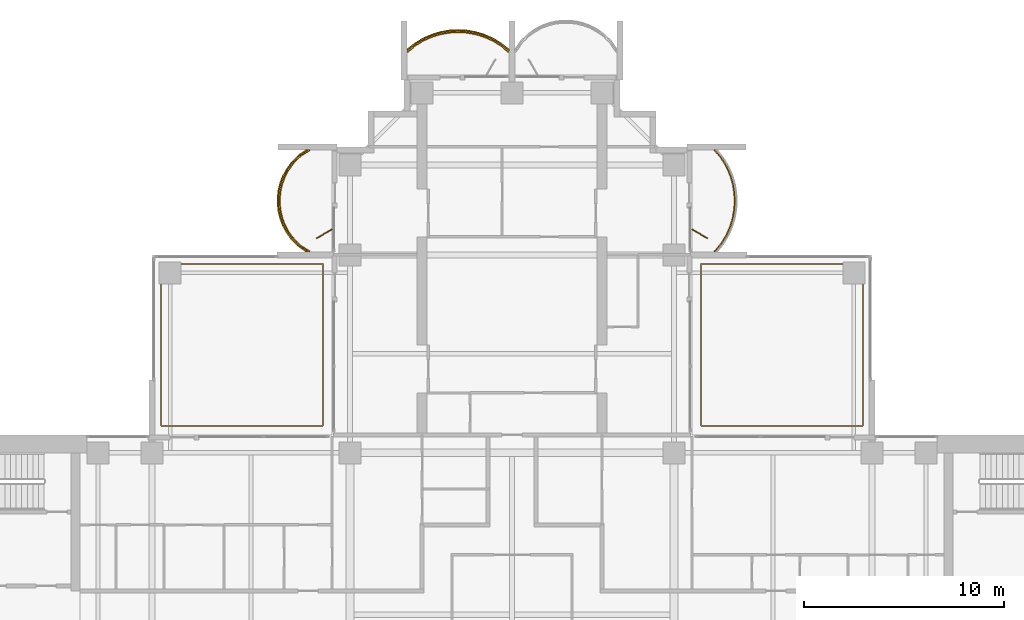
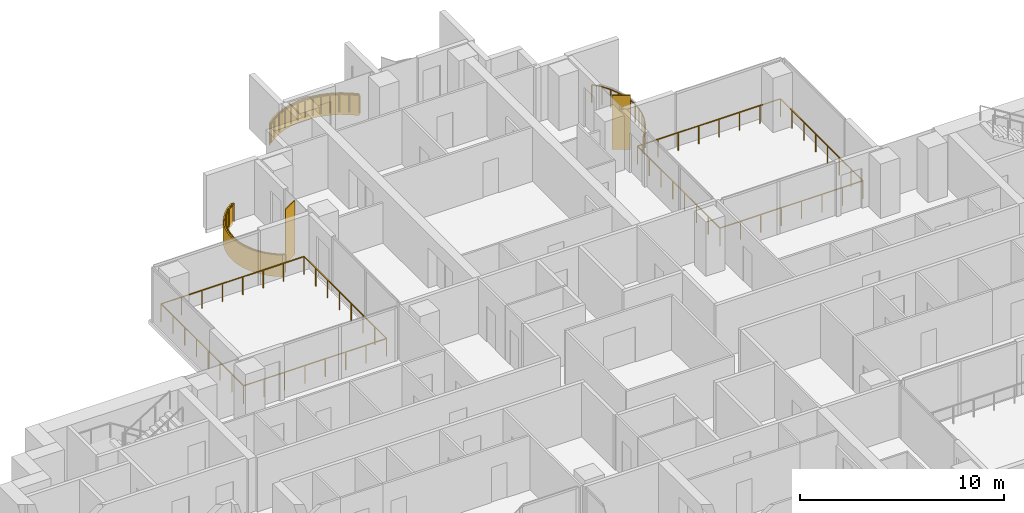
# One storey, part 17 of 18: 5 railings, 2 coverings, 2 shading devices.
"""IFC4 building model written with IfcOpenShell, lengths in metres."""

from ifc_helpers import new_model, si_unit, direction, frame, origin, origin_2d, place, context, subcontext, project, spatial, polyline, rectangle, outline, extrude, material, layer, layer_set, type_object, element, save


model = new_model("IFC4")

# Units and contexts
model_context = context("Model", 3, precision=1e-05, world=origin(), true_north=direction((0.0, 1.0)))
body_context = subcontext(model_context, "Body", "Model", "MODEL_VIEW")
ifc_project = project(units=[si_unit("LENGTHUNIT", "METRE"), si_unit("AREAUNIT", "SQUARE_METRE"), si_unit("VOLUMEUNIT", "CUBIC_METRE"), si_unit("PLANEANGLEUNIT", "RADIAN"), si_unit("MASSUNIT", "GRAM", prefix="KILO")], contexts=[model_context])

# Site, building, storey
site_placement = place(None, origin())
site = spatial("IfcSite", under=ifc_project, at=site_placement, CompositionType="ELEMENT")
building_placement = place(site_placement, origin())
building = spatial("IfcBuilding", under=site, at=building_placement, Name="Perihelion Cross Residences", CompositionType="ELEMENT")
storey_placement = place(building_placement, frame((0.0, 0.0, 140.89990234375)))
storey = spatial("IfcBuildingStorey", under=building, at=storey_placement, Name="L34", CompositionType="ELEMENT", Elevation=140.89990234375)

# Coverings
ifc_material_1 = material(Name="Bronze anodised aluminium", Category="aluminium")
ifc_layer_1 = layer(ifc_material_1, 0.070068359375)
ifc_layer_set_1 = layer_set([ifc_layer_1], Name="Balcony fascia 1300")
covering_type = type_object("IfcCoveringType", Name="Balcony fascia 1300", PredefinedType="CLADDING", material=ifc_layer_set_1)
covering_1_placement = place(storey_placement, frame((0.0, 0.0, -0.199951171875)))
element("IfcCovering", 1, at=covering_1_placement, inside=storey, type_object=covering_type, Name="Fascia BF1 L34 north tip north bay 2", PredefinedType="CLADDING", context=body_context, shape_type="SweptSolid", body=[
    extrude(outline(polyline([(-0.53515625, 28.59765625), (-0.96826171875, 28.85498046875), (-1.401123046875, 29.04248046875), (-1.833984375, 29.170654296875), (-2.26708984375, 29.245361328125), (-2.699951171875, 29.27001953125), (-3.133056640625, 29.245361328125), (-3.56591796875, 29.170654296875), (-3.998779296875, 29.04248046875), (-4.431884765625, 28.85498046875), (-4.86474609375, 28.59765625), (-5.25, 28.28955078125), (-5.25, 28.199951171875), (-4.824951171875, 28.5400390625), (-4.39990234375, 28.792724609375), (-3.97509765625, 28.9765625), (-3.550048828125, 29.1025390625), (-3.125, 29.17578125), (-2.699951171875, 29.199951171875), (-2.27490234375, 29.17578125), (-1.85009765625, 29.1025390625), (-1.425048828125, 28.9765625), (-1.0, 28.792724609375), (-0.574951171875, 28.5400390625), (-0.14990234375, 28.199951171875), (-0.14990234375, 28.28955078125), (-0.53515625, 28.59765625)])), origin(), (0.0, 0.0, 1.0), 1.300048828125),
])
covering_2_placement = place(storey_placement, frame((0.0, 0.0, -0.199951171875)))
element("IfcCovering", 2, at=covering_2_placement, inside=storey, type_object=covering_type, Name="Fascia BF1 L34 north side west bay 1", PredefinedType="CLADDING", context=body_context, shape_type="SweptSolid", body=[
    extrude(outline(polyline([(-10.722412109375, 22.963134765625), (-11.060791015625, 22.61474609375), (-11.308837890625, 22.2666015625), (-11.4912109375, 21.91845703125), (-11.620361328125, 21.5703125), (-11.703369140625, 21.22216796875), (-11.743896484375, 20.8740234375), (-11.743896484375, 20.52587890625), (-11.703369140625, 20.177734375), (-11.620361328125, 19.82958984375), (-11.4912109375, 19.4814453125), (-11.308837890625, 19.13330078125), (-11.060791015625, 18.78515625), (-10.722412109375, 18.43701171875), (-10.320556640625, 18.14990234375), (-10.199951171875, 18.14990234375), (-10.6767578125, 18.489990234375), (-11.007080078125, 18.830078125), (-11.2490234375, 19.169921875), (-11.42724609375, 19.510009765625), (-11.553466796875, 19.85009765625), (-11.63427734375, 20.18994140625), (-11.674072265625, 20.530029296875), (-11.674072265625, 20.8701171875), (-11.63427734375, 21.2099609375), (-11.553466796875, 21.550048828125), (-11.42724609375, 21.889892578125), (-11.2490234375, 22.22998046875), (-11.007080078125, 22.570068359375), (-10.6767578125, 22.909912109375), (-10.199951171875, 23.25), (-10.320556640625, 23.25), (-10.722412109375, 22.963134765625)])), origin(), (0.0, 0.0, 1.0), 1.300048828125),
])

# Railings
ifc_material_2 = material(Name="Bronze anodised aluminium", Category="aluminium")
railing_type = type_object("IfcRailingType", Name="Balcony guard 1100", PredefinedType="GUARDRAIL", material=ifc_material_2)
railing_1_placement = place(storey_placement, frame((10.139892578125, 18.175048828125, 0.0)))
element("IfcRailing", 3, at=railing_1_placement, inside=storey, type_object=railing_type, Name="Guard GU1 L34 north side east bay 2 balcony", PredefinedType="GUARDRAIL", context=body_context, shape_type="SweptSolid", body=[
    extrude(rectangle(XDim=0.048095703125, YDim=0.048095703125, at=origin_2d()), frame((0.0, 0.0, 1.076171875), z_axis=(0.647837396648, 0.761778647315, 0.0), x_axis=(-0.761778647315, 0.647837396648, 0.0)), (0.0, 0.0, 1.0), 0.52490234375),
    extrude(rectangle(XDim=0.048095703125, YDim=0.048095703125, at=origin_2d()), frame((0.340087890625, 0.39990234375, 1.076171875), z_axis=(0.511006381501, 0.859576918062, 0.0), x_axis=(-0.859576918062, 0.511006381501, 0.0)), (0.0, 0.0, 1.0), 0.494384765625),
    extrude(rectangle(XDim=0.048095703125, YDim=0.048095703125, at=origin_2d()), frame((0.5927734375, 0.824951171875, 1.076171875), z_axis=(0.397415137459, 0.917638931453, 0.0), x_axis=(-0.917638931453, 0.397415137459, 0.0)), (0.0, 0.0, 1.0), 0.463134765625),
    extrude(rectangle(XDim=0.048095703125, YDim=0.048095703125, at=origin_2d()), frame((0.77685546875, 1.25, 1.076171875), z_axis=(0.283656975924, 0.958925815697, 0.0), x_axis=(-0.958925815697, 0.283656975924, 0.0)), (0.0, 0.0, 1.0), 0.443359375),
    extrude(rectangle(XDim=0.048095703125, YDim=0.048095703125, at=origin_2d()), frame((0.902587890625, 1.675048828125, 1.076171875), z_axis=(0.170456843651, 0.985365142702, 0.0), x_axis=(-0.985365142702, 0.170456843651, 0.0)), (0.0, 0.0, 1.0), 0.43115234375),
    extrude(rectangle(XDim=0.048095703125, YDim=0.048095703125, at=origin_2d()), frame((0.97607421875, 2.099853515625, 1.076171875), z_axis=(0.056200523353, 0.9984195016, 0.0), x_axis=(-0.9984195016, 0.056200523353, 0.0)), (0.0, 0.0, 1.0), 0.42578125),
    extrude(rectangle(XDim=0.048095703125, YDim=0.048095703125, at=origin_2d()), frame((1.0, 2.52490234375, 1.076171875), z_axis=(-0.056200523353, 0.9984195016, 0.0), x_axis=(-0.9984195016, -0.056200523353, 0.0)), (0.0, 0.0, 1.0), 0.42578125),
    extrude(rectangle(XDim=0.048095703125, YDim=0.048095703125, at=origin_2d()), frame((0.97607421875, 2.949951171875, 1.076171875), z_axis=(-0.17036177859, 0.985381583142, 0.0), x_axis=(-0.985381583142, -0.17036177859, 0.0)), (0.0, 0.0, 1.0), 0.431396484375),
    extrude(rectangle(XDim=0.048095703125, YDim=0.048095703125, at=origin_2d()), frame((0.902587890625, 3.375, 1.076171875), z_axis=(-0.283656975924, 0.958925815697, 0.0), x_axis=(-0.958925815697, -0.283656975924, 0.0)), (0.0, 0.0, 1.0), 0.443359375),
    extrude(rectangle(XDim=0.048095703125, YDim=0.048095703125, at=origin_2d()), frame((0.77685546875, 3.800048828125, 1.076171875), z_axis=(-0.397607437634, 0.91755562531, 0.0), x_axis=(-0.91755562531, -0.397607437634, 0.0)), (0.0, 0.0, 1.0), 0.462890625),
    extrude(rectangle(XDim=0.048095703125, YDim=0.048095703125, at=origin_2d()), frame((0.5927734375, 4.224853515625, 1.076171875), z_axis=(-0.511006381501, 0.859576918062, 0.0), x_axis=(-0.859576918062, -0.511006381501, 0.0)), (0.0, 0.0, 1.0), 0.494384765625),
    extrude(rectangle(XDim=0.048095703125, YDim=0.048095703125, at=origin_2d()), frame((0.340087890625, 4.64990234375, 1.076171875), z_axis=(-0.647607934281, 0.761973728849, 0.0), x_axis=(-0.761973728849, -0.647607934281, 0.0)), (0.0, 0.0, 1.0), 0.525146484375),
    extrude(rectangle(XDim=0.0419921875, YDim=0.0419921875, at=origin_2d()), origin(), (0.0, 0.0, 1.0), 1.052001953125),
    extrude(rectangle(XDim=0.0419921875, YDim=0.0419921875, at=origin_2d()), frame((0.340087890625, 0.39990234375, 0.0)), (0.0, 0.0, 1.0), 1.052001953125),
    extrude(rectangle(XDim=0.0419921875, YDim=0.0419921875, at=origin_2d()), frame((0.5927734375, 0.824951171875, 0.0)), (0.0, 0.0, 1.0), 1.052001953125),
    extrude(rectangle(XDim=0.0419921875, YDim=0.0419921875, at=origin_2d()), frame((0.77685546875, 1.25, 0.0)), (0.0, 0.0, 1.0), 1.052001953125),
    extrude(rectangle(XDim=0.0419921875, YDim=0.0419921875, at=origin_2d()), frame((0.902587890625, 1.675048828125, 0.0)), (0.0, 0.0, 1.0), 1.052001953125),
    extrude(rectangle(XDim=0.0419921875, YDim=0.0419921875, at=origin_2d()), frame((0.97607421875, 2.099853515625, 0.0)), (0.0, 0.0, 1.0), 1.052001953125),
    extrude(rectangle(XDim=0.0419921875, YDim=0.0419921875, at=origin_2d()), frame((1.0, 2.52490234375, 0.0)), (0.0, 0.0, 1.0), 1.052001953125),
    extrude(rectangle(XDim=0.0419921875, YDim=0.0419921875, at=origin_2d()), frame((0.97607421875, 2.949951171875, 0.0)), (0.0, 0.0, 1.0), 1.052001953125),
    extrude(rectangle(XDim=0.0419921875, YDim=0.0419921875, at=origin_2d()), frame((0.902587890625, 3.375, 0.0)), (0.0, 0.0, 1.0), 1.052001953125),
    extrude(rectangle(XDim=0.0419921875, YDim=0.0419921875, at=origin_2d()), frame((0.77685546875, 3.800048828125, 0.0)), (0.0, 0.0, 1.0), 1.052001953125),
    extrude(rectangle(XDim=0.0419921875, YDim=0.0419921875, at=origin_2d()), frame((0.5927734375, 4.224853515625, 0.0)), (0.0, 0.0, 1.0), 1.052001953125),
    extrude(rectangle(XDim=0.0419921875, YDim=0.0419921875, at=origin_2d()), frame((0.340087890625, 4.64990234375, 0.0)), (0.0, 0.0, 1.0), 1.052001953125),
    extrude(rectangle(XDim=0.0419921875, YDim=0.0419921875, at=origin_2d()), frame((0.0, 5.050048828125, 0.0)), (0.0, 0.0, 1.0), 1.052001953125),
])
railing_2_placement = place(storey_placement, frame((-0.175048828125, 28.139892578125, 0.0)))
element("IfcRailing", 4, at=railing_2_placement, inside=storey, type_object=railing_type, Name="Guard GU1 L34 north tip north bay 2 balcony", PredefinedType="GUARDRAIL", context=body_context, shape_type="SweptSolid", body=[
    extrude(rectangle(XDim=0.048095703125, YDim=0.048095703125, at=origin_2d()), frame((0.0, 0.0, 1.076171875), z_axis=(-0.761778647315, 0.647837396648, 0.0), x_axis=(-0.647837396648, -0.761778647315, 0.0)), (0.0, 0.0, 1.0), 0.52490234375),
    extrude(rectangle(XDim=0.048095703125, YDim=0.048095703125, at=origin_2d()), frame((-0.39990234375, 0.340087890625, 1.076171875), z_axis=(-0.859576918062, 0.511006381501, 0.0), x_axis=(-0.511006381501, -0.859576918062, 0.0)), (0.0, 0.0, 1.0), 0.494384765625),
    extrude(rectangle(XDim=0.048095703125, YDim=0.048095703125, at=origin_2d()), frame((-0.824951171875, 0.5927734375, 1.076171875), z_axis=(-0.917638931453, 0.397415137459, 0.0), x_axis=(-0.397415137459, -0.917638931453, 0.0)), (0.0, 0.0, 1.0), 0.463134765625),
    extrude(rectangle(XDim=0.048095703125, YDim=0.048095703125, at=origin_2d()), frame((-1.25, 0.77685546875, 1.076171875), z_axis=(-0.958925815697, 0.283656975924, 0.0), x_axis=(-0.283656975924, -0.958925815697, 0.0)), (0.0, 0.0, 1.0), 0.443359375),
    extrude(rectangle(XDim=0.048095703125, YDim=0.048095703125, at=origin_2d()), frame((-1.675048828125, 0.902587890625, 1.076171875), z_axis=(-0.985365142702, 0.170456843651, 0.0), x_axis=(-0.170456843651, -0.985365142702, 0.0)), (0.0, 0.0, 1.0), 0.43115234375),
    extrude(rectangle(XDim=0.048095703125, YDim=0.048095703125, at=origin_2d()), frame((-2.099853515625, 0.97607421875, 1.076171875), z_axis=(-0.9984195016, 0.056200523353, 0.0), x_axis=(-0.056200523353, -0.9984195016, 0.0)), (0.0, 0.0, 1.0), 0.42578125),
    extrude(rectangle(XDim=0.048095703125, YDim=0.048095703125, at=origin_2d()), frame((-2.52490234375, 1.0, 1.076171875), z_axis=(-0.9984195016, -0.056200523353, 0.0), x_axis=(0.056200523353, -0.9984195016, 0.0)), (0.0, 0.0, 1.0), 0.42578125),
    extrude(rectangle(XDim=0.048095703125, YDim=0.048095703125, at=origin_2d()), frame((-2.949951171875, 0.97607421875, 1.076171875), z_axis=(-0.985381583142, -0.17036177859, 0.0), x_axis=(0.17036177859, -0.985381583142, 0.0)), (0.0, 0.0, 1.0), 0.431396484375),
    extrude(rectangle(XDim=0.048095703125, YDim=0.048095703125, at=origin_2d()), frame((-3.375, 0.902587890625, 1.076171875), z_axis=(-0.958925815697, -0.283656975924, 0.0), x_axis=(0.283656975924, -0.958925815697, 0.0)), (0.0, 0.0, 1.0), 0.443359375),
    extrude(rectangle(XDim=0.048095703125, YDim=0.048095703125, at=origin_2d()), frame((-3.800048828125, 0.77685546875, 1.076171875), z_axis=(-0.91755562531, -0.397607437634, 0.0), x_axis=(0.397607437634, -0.91755562531, 0.0)), (0.0, 0.0, 1.0), 0.462890625),
    extrude(rectangle(XDim=0.048095703125, YDim=0.048095703125, at=origin_2d()), frame((-4.224853515625, 0.5927734375, 1.076171875), z_axis=(-0.859576918062, -0.511006381501, 0.0), x_axis=(0.511006381501, -0.859576918062, 0.0)), (0.0, 0.0, 1.0), 0.494384765625),
    extrude(rectangle(XDim=0.048095703125, YDim=0.048095703125, at=origin_2d()), frame((-4.64990234375, 0.340087890625, 1.076171875), z_axis=(-0.761973728849, -0.647607934281, 0.0), x_axis=(0.647607934281, -0.761973728849, 0.0)), (0.0, 0.0, 1.0), 0.525146484375),
    extrude(rectangle(XDim=0.0419921875, YDim=0.0419921875, at=origin_2d()), origin(), (0.0, 0.0, 1.0), 1.052001953125),
    extrude(rectangle(XDim=0.0419921875, YDim=0.0419921875, at=origin_2d()), frame((-0.39990234375, 0.340087890625, 0.0)), (0.0, 0.0, 1.0), 1.052001953125),
    extrude(rectangle(XDim=0.0419921875, YDim=0.0419921875, at=origin_2d()), frame((-0.824951171875, 0.5927734375, 0.0)), (0.0, 0.0, 1.0), 1.052001953125),
    extrude(rectangle(XDim=0.0419921875, YDim=0.0419921875, at=origin_2d()), frame((-1.25, 0.77685546875, 0.0)), (0.0, 0.0, 1.0), 1.052001953125),
    extrude(rectangle(XDim=0.0419921875, YDim=0.0419921875, at=origin_2d()), frame((-1.675048828125, 0.902587890625, 0.0)), (0.0, 0.0, 1.0), 1.052001953125),
    extrude(rectangle(XDim=0.0419921875, YDim=0.0419921875, at=origin_2d()), frame((-2.099853515625, 0.97607421875, 0.0)), (0.0, 0.0, 1.0), 1.052001953125),
    extrude(rectangle(XDim=0.0419921875, YDim=0.0419921875, at=origin_2d()), frame((-2.52490234375, 1.0, 0.0)), (0.0, 0.0, 1.0), 1.052001953125),
    extrude(rectangle(XDim=0.0419921875, YDim=0.0419921875, at=origin_2d()), frame((-2.949951171875, 0.97607421875, 0.0)), (0.0, 0.0, 1.0), 1.052001953125),
    extrude(rectangle(XDim=0.0419921875, YDim=0.0419921875, at=origin_2d()), frame((-3.375, 0.902587890625, 0.0)), (0.0, 0.0, 1.0), 1.052001953125),
    extrude(rectangle(XDim=0.0419921875, YDim=0.0419921875, at=origin_2d()), frame((-3.800048828125, 0.77685546875, 0.0)), (0.0, 0.0, 1.0), 1.052001953125),
    extrude(rectangle(XDim=0.0419921875, YDim=0.0419921875, at=origin_2d()), frame((-4.224853515625, 0.5927734375, 0.0)), (0.0, 0.0, 1.0), 1.052001953125),
    extrude(rectangle(XDim=0.0419921875, YDim=0.0419921875, at=origin_2d()), frame((-4.64990234375, 0.340087890625, 0.0)), (0.0, 0.0, 1.0), 1.052001953125),
    extrude(rectangle(XDim=0.0419921875, YDim=0.0419921875, at=origin_2d()), frame((-5.050048828125, 0.0, 0.0)), (0.0, 0.0, 1.0), 1.052001953125),
])
railing_3_placement = place(storey_placement, frame((-10.139892578125, 23.22509765625, 0.0)))
element("IfcRailing", 5, at=railing_3_placement, inside=storey, type_object=railing_type, Name="Guard GU1 L34 north side west bay 1 balcony", PredefinedType="GUARDRAIL", context=body_context, shape_type="SweptSolid", body=[
    extrude(rectangle(XDim=0.048095703125, YDim=0.048095703125, at=origin_2d()), frame((0.0, 0.0, 1.076171875), z_axis=(-0.834212513801, -0.55144309028, 0.0), x_axis=(0.55144309028, -0.834212513801, 0.0)), (0.0, 0.0, 1.0), 0.571533203125),
    extrude(rectangle(XDim=0.048095703125, YDim=0.048095703125, at=origin_2d()), frame((-0.476806640625, -0.315185546875, 1.076171875), z_axis=(-0.696990112603, -0.717080736691, 0.0), x_axis=(0.717080736691, -0.696990112603, 0.0)), (0.0, 0.0, 1.0), 0.473876953125),
    extrude(rectangle(XDim=0.048095703125, YDim=0.048095703125, at=origin_2d()), frame((-0.80712890625, -0.655029296875, 1.076171875), z_axis=(-0.580075995532, -0.814562360662, 0.0), x_axis=(0.814562360662, -0.580075995532, 0.0)), (0.0, 0.0, 1.0), 0.41748046875),
    extrude(rectangle(XDim=0.048095703125, YDim=0.048095703125, at=origin_2d()), frame((-1.04931640625, -0.9951171875, 1.076171875), z_axis=(-0.463674228502, -0.886005761733, 0.0), x_axis=(0.886005761733, -0.463674228502, 0.0)), (0.0, 0.0, 1.0), 0.3837890625),
    extrude(rectangle(XDim=0.048095703125, YDim=0.048095703125, at=origin_2d()), frame((-1.227294921875, -1.335205078125, 1.076171875), z_axis=(-0.348169621027, -0.937431552165, 0.0), x_axis=(0.937431552165, -0.348169621027, 0.0)), (0.0, 0.0, 1.0), 0.362548828125),
    extrude(rectangle(XDim=0.048095703125, YDim=0.048095703125, at=origin_2d()), frame((-1.353515625, -1.675048828125, 1.076171875), z_axis=(-0.231840805498, -0.972753741142, 0.0), x_axis=(0.972753741142, -0.231840805498, 0.0)), (0.0, 0.0, 1.0), 0.349609375),
    extrude(rectangle(XDim=0.048095703125, YDim=0.048095703125, at=origin_2d()), frame((-1.4345703125, -2.01513671875, 1.076171875), z_axis=(-0.11559909788, -0.993295952156, 0.0), x_axis=(0.993295952156, -0.11559909788, 0.0)), (0.0, 0.0, 1.0), 0.342041015625),
    extrude(rectangle(XDim=0.048095703125, YDim=0.048095703125, at=origin_2d()), frame((-1.47412109375, -2.35498046875, 1.076171875), z_axis=(0.0, -1.0, 0.0), x_axis=(1.0, 0.0, 0.0)), (0.0, 0.0, 1.0), 0.340087890625),
    extrude(rectangle(XDim=0.048095703125, YDim=0.048095703125, at=origin_2d()), frame((-1.47412109375, -2.695068359375, 1.076171875), z_axis=(0.11551721994, -0.993305477634, 0.0), x_axis=(0.993305477634, 0.11551721994, 0.0)), (0.0, 0.0, 1.0), 0.34228515625),
    extrude(rectangle(XDim=0.048095703125, YDim=0.048095703125, at=origin_2d()), frame((-1.4345703125, -3.03515625, 1.076171875), z_axis=(0.231998396458, -0.972716168284, 0.0), x_axis=(0.972716168284, 0.231998396458, 0.0)), (0.0, 0.0, 1.0), 0.349365234375),
    extrude(rectangle(XDim=0.048095703125, YDim=0.048095703125, at=origin_2d()), frame((-1.353515625, -3.375, 1.076171875), z_axis=(0.347949948587, -0.93751311099, 0.0), x_axis=(0.93751311099, 0.347949948587, 0.0)), (0.0, 0.0, 1.0), 0.36279296875),
    extrude(rectangle(XDim=0.048095703125, YDim=0.048095703125, at=origin_2d()), frame((-1.227294921875, -3.715087890625, 1.076171875), z_axis=(0.463674228502, -0.886005761733, 0.0), x_axis=(0.886005761733, 0.463674228502, 0.0)), (0.0, 0.0, 1.0), 0.3837890625),
    extrude(rectangle(XDim=0.048095703125, YDim=0.048095703125, at=origin_2d()), frame((-1.04931640625, -4.05517578125, 1.076171875), z_axis=(0.580352394782, -0.814365457194, 0.0), x_axis=(0.814365457194, 0.580352394782, 0.0)), (0.0, 0.0, 1.0), 0.417236328125),
    extrude(rectangle(XDim=0.048095703125, YDim=0.048095703125, at=origin_2d()), frame((-0.80712890625, -4.39501953125, 1.076171875), z_axis=(0.69673269466, -0.717330852669, 0.0), x_axis=(0.717330852669, 0.69673269466, 0.0)), (0.0, 0.0, 1.0), 0.47412109375),
    extrude(rectangle(XDim=0.048095703125, YDim=0.048095703125, at=origin_2d()), frame((-0.476806640625, -4.735107421875, 1.076171875), z_axis=(0.834409002258, -0.551145731138, 0.0), x_axis=(0.551145731138, 0.834409002258, 0.0)), (0.0, 0.0, 1.0), 0.571533203125),
    extrude(rectangle(XDim=0.0419921875, YDim=0.0419921875, at=origin_2d()), origin(), (0.0, 0.0, 1.0), 1.052001953125),
    extrude(rectangle(XDim=0.0419921875, YDim=0.0419921875, at=origin_2d()), frame((-0.476806640625, -0.315185546875, 0.0)), (0.0, 0.0, 1.0), 1.052001953125),
    extrude(rectangle(XDim=0.0419921875, YDim=0.0419921875, at=origin_2d()), frame((-0.80712890625, -0.655029296875, 0.0)), (0.0, 0.0, 1.0), 1.052001953125),
    extrude(rectangle(XDim=0.0419921875, YDim=0.0419921875, at=origin_2d()), frame((-1.04931640625, -0.9951171875, 0.0)), (0.0, 0.0, 1.0), 1.052001953125),
    extrude(rectangle(XDim=0.0419921875, YDim=0.0419921875, at=origin_2d()), frame((-1.227294921875, -1.335205078125, 0.0)), (0.0, 0.0, 1.0), 1.052001953125),
    extrude(rectangle(XDim=0.0419921875, YDim=0.0419921875, at=origin_2d()), frame((-1.353515625, -1.675048828125, 0.0)), (0.0, 0.0, 1.0), 1.052001953125),
    extrude(rectangle(XDim=0.0419921875, YDim=0.0419921875, at=origin_2d()), frame((-1.4345703125, -2.01513671875, 0.0)), (0.0, 0.0, 1.0), 1.052001953125),
    extrude(rectangle(XDim=0.0419921875, YDim=0.0419921875, at=origin_2d()), frame((-1.47412109375, -2.35498046875, 0.0)), (0.0, 0.0, 1.0), 1.052001953125),
    extrude(rectangle(XDim=0.0419921875, YDim=0.0419921875, at=origin_2d()), frame((-1.47412109375, -2.695068359375, 0.0)), (0.0, 0.0, 1.0), 1.052001953125),
    extrude(rectangle(XDim=0.0419921875, YDim=0.0419921875, at=origin_2d()), frame((-1.4345703125, -3.03515625, 0.0)), (0.0, 0.0, 1.0), 1.052001953125),
    extrude(rectangle(XDim=0.0419921875, YDim=0.0419921875, at=origin_2d()), frame((-1.353515625, -3.375, 0.0)), (0.0, 0.0, 1.0), 1.052001953125),
    extrude(rectangle(XDim=0.0419921875, YDim=0.0419921875, at=origin_2d()), frame((-1.227294921875, -3.715087890625, 0.0)), (0.0, 0.0, 1.0), 1.052001953125),
    extrude(rectangle(XDim=0.0419921875, YDim=0.0419921875, at=origin_2d()), frame((-1.04931640625, -4.05517578125, 0.0)), (0.0, 0.0, 1.0), 1.052001953125),
    extrude(rectangle(XDim=0.0419921875, YDim=0.0419921875, at=origin_2d()), frame((-0.80712890625, -4.39501953125, 0.0)), (0.0, 0.0, 1.0), 1.052001953125),
    extrude(rectangle(XDim=0.0419921875, YDim=0.0419921875, at=origin_2d()), frame((-0.476806640625, -4.735107421875, 0.0)), (0.0, 0.0, 1.0), 1.052001953125),
    extrude(rectangle(XDim=0.0419921875, YDim=0.0419921875, at=origin_2d()), frame((0.0, -5.050048828125, 0.0)), (0.0, 0.0, 1.0), 1.052001953125),
])
railing_4_placement = place(storey_placement, frame((17.550048828125, 9.449951171875, 0.0)))
element("IfcRailing", 6, at=railing_4_placement, inside=storey, type_object=railing_type, Name="Guard GU1 L34 pocket north-east 1", PredefinedType="GUARDRAIL", context=body_context, shape_type="SweptSolid", body=[
    extrude(rectangle(XDim=0.048095703125, YDim=0.048095703125, at=origin_2d()), frame((0.0, 0.0, 1.076171875), z_axis=(-1.0, 0.0, 0.0), x_axis=(0.0, -1.0, 0.0)), (0.0, 0.0, 1.0), 8.10009765625),
    extrude(rectangle(XDim=0.048095703125, YDim=0.048095703125, at=origin_2d()), frame((-8.10009765625, 0.0, 1.076171875), z_axis=(0.0, 1.0, 0.0), x_axis=(-1.0, 0.0, 0.0)), (0.0, 0.0, 1.0), 8.10009765625),
    extrude(rectangle(XDim=0.048095703125, YDim=0.048095703125, at=origin_2d()), frame((-8.10009765625, 8.10009765625, 1.076171875), z_axis=(1.0, 0.0, 0.0), x_axis=(0.0, 1.0, 0.0)), (0.0, 0.0, 1.0), 8.10009765625),
    extrude(rectangle(XDim=0.048095703125, YDim=0.048095703125, at=origin_2d()), frame((0.0, 8.10009765625, 1.076171875), z_axis=(0.0, -1.0, 0.0), x_axis=(1.0, 0.0, 0.0)), (0.0, 0.0, 1.0), 8.10009765625),
    extrude(rectangle(XDim=0.0419921875, YDim=0.0419921875, at=origin_2d()), origin(), (0.0, 0.0, 1.0), 1.052001953125),
    extrude(rectangle(XDim=0.0419921875, YDim=0.0419921875, at=origin_2d()), frame((-1.1572265625, 0.0, 0.0)), (0.0, 0.0, 1.0), 1.052001953125),
    extrude(rectangle(XDim=0.0419921875, YDim=0.0419921875, at=origin_2d()), frame((-2.314208984375, 0.0, 0.0)), (0.0, 0.0, 1.0), 1.052001953125),
    extrude(rectangle(XDim=0.0419921875, YDim=0.0419921875, at=origin_2d()), frame((-3.471435546875, 0.0, 0.0)), (0.0, 0.0, 1.0), 1.052001953125),
    extrude(rectangle(XDim=0.0419921875, YDim=0.0419921875, at=origin_2d()), frame((-4.628662109375, 0.0, 0.0)), (0.0, 0.0, 1.0), 1.052001953125),
    extrude(rectangle(XDim=0.0419921875, YDim=0.0419921875, at=origin_2d()), frame((-5.785888671875, 0.0, 0.0)), (0.0, 0.0, 1.0), 1.052001953125),
    extrude(rectangle(XDim=0.0419921875, YDim=0.0419921875, at=origin_2d()), frame((-6.94287109375, 0.0, 0.0)), (0.0, 0.0, 1.0), 1.052001953125),
    extrude(rectangle(XDim=0.0419921875, YDim=0.0419921875, at=origin_2d()), frame((-8.10009765625, 0.0, 0.0)), (0.0, 0.0, 1.0), 1.052001953125),
    extrude(rectangle(XDim=0.0419921875, YDim=0.0419921875, at=origin_2d()), frame((-8.10009765625, 1.1572265625, 0.0)), (0.0, 0.0, 1.0), 1.052001953125),
    extrude(rectangle(XDim=0.0419921875, YDim=0.0419921875, at=origin_2d()), frame((-8.10009765625, 2.314208984375, 0.0)), (0.0, 0.0, 1.0), 1.052001953125),
    extrude(rectangle(XDim=0.0419921875, YDim=0.0419921875, at=origin_2d()), frame((-8.10009765625, 3.471435546875, 0.0)), (0.0, 0.0, 1.0), 1.052001953125),
    extrude(rectangle(XDim=0.0419921875, YDim=0.0419921875, at=origin_2d()), frame((-8.10009765625, 4.628662109375, 0.0)), (0.0, 0.0, 1.0), 1.052001953125),
    extrude(rectangle(XDim=0.0419921875, YDim=0.0419921875, at=origin_2d()), frame((-8.10009765625, 5.785888671875, 0.0)), (0.0, 0.0, 1.0), 1.052001953125),
    extrude(rectangle(XDim=0.0419921875, YDim=0.0419921875, at=origin_2d()), frame((-8.10009765625, 6.94287109375, 0.0)), (0.0, 0.0, 1.0), 1.052001953125),
    extrude(rectangle(XDim=0.0419921875, YDim=0.0419921875, at=origin_2d()), frame((-8.10009765625, 8.10009765625, 0.0)), (0.0, 0.0, 1.0), 1.052001953125),
    extrude(rectangle(XDim=0.0419921875, YDim=0.0419921875, at=origin_2d()), frame((-6.94287109375, 8.10009765625, 0.0)), (0.0, 0.0, 1.0), 1.052001953125),
    extrude(rectangle(XDim=0.0419921875, YDim=0.0419921875, at=origin_2d()), frame((-5.785888671875, 8.10009765625, 0.0)), (0.0, 0.0, 1.0), 1.052001953125),
    extrude(rectangle(XDim=0.0419921875, YDim=0.0419921875, at=origin_2d()), frame((-4.628662109375, 8.10009765625, 0.0)), (0.0, 0.0, 1.0), 1.052001953125),
    extrude(rectangle(XDim=0.0419921875, YDim=0.0419921875, at=origin_2d()), frame((-3.471435546875, 8.10009765625, 0.0)), (0.0, 0.0, 1.0), 1.052001953125),
    extrude(rectangle(XDim=0.0419921875, YDim=0.0419921875, at=origin_2d()), frame((-2.314208984375, 8.10009765625, 0.0)), (0.0, 0.0, 1.0), 1.052001953125),
    extrude(rectangle(XDim=0.0419921875, YDim=0.0419921875, at=origin_2d()), frame((-1.1572265625, 8.10009765625, 0.0)), (0.0, 0.0, 1.0), 1.052001953125),
    extrude(rectangle(XDim=0.0419921875, YDim=0.0419921875, at=origin_2d()), frame((0.0, 8.10009765625, 0.0)), (0.0, 0.0, 1.0), 1.052001953125),
    extrude(rectangle(XDim=0.0419921875, YDim=0.0419921875, at=origin_2d()), frame((0.0, 6.94287109375, 0.0)), (0.0, 0.0, 1.0), 1.052001953125),
    extrude(rectangle(XDim=0.0419921875, YDim=0.0419921875, at=origin_2d()), frame((0.0, 5.785888671875, 0.0)), (0.0, 0.0, 1.0), 1.052001953125),
    extrude(rectangle(XDim=0.0419921875, YDim=0.0419921875, at=origin_2d()), frame((0.0, 4.628662109375, 0.0)), (0.0, 0.0, 1.0), 1.052001953125),
    extrude(rectangle(XDim=0.0419921875, YDim=0.0419921875, at=origin_2d()), frame((0.0, 3.471435546875, 0.0)), (0.0, 0.0, 1.0), 1.052001953125),
    extrude(rectangle(XDim=0.0419921875, YDim=0.0419921875, at=origin_2d()), frame((0.0, 2.314208984375, 0.0)), (0.0, 0.0, 1.0), 1.052001953125),
    extrude(rectangle(XDim=0.0419921875, YDim=0.0419921875, at=origin_2d()), frame((0.0, 1.1572265625, 0.0)), (0.0, 0.0, 1.0), 1.052001953125),
])
railing_5_placement = place(storey_placement, frame((-9.449951171875, 9.449951171875, 0.0)))
element("IfcRailing", 7, at=railing_5_placement, inside=storey, type_object=railing_type, Name="Guard GU1 L34 pocket north-west 1", PredefinedType="GUARDRAIL", context=body_context, shape_type="SweptSolid", body=[
    extrude(rectangle(XDim=0.048095703125, YDim=0.048095703125, at=origin_2d()), frame((0.0, 0.0, 1.076171875), z_axis=(-1.0, 0.0, 0.0), x_axis=(0.0, -1.0, 0.0)), (0.0, 0.0, 1.0), 8.10009765625),
    extrude(rectangle(XDim=0.048095703125, YDim=0.048095703125, at=origin_2d()), frame((-8.10009765625, 0.0, 1.076171875), z_axis=(0.0, 1.0, 0.0), x_axis=(-1.0, 0.0, 0.0)), (0.0, 0.0, 1.0), 8.10009765625),
    extrude(rectangle(XDim=0.048095703125, YDim=0.048095703125, at=origin_2d()), frame((-8.10009765625, 8.10009765625, 1.076171875), z_axis=(1.0, 0.0, 0.0), x_axis=(0.0, 1.0, 0.0)), (0.0, 0.0, 1.0), 8.10009765625),
    extrude(rectangle(XDim=0.048095703125, YDim=0.048095703125, at=origin_2d()), frame((0.0, 8.10009765625, 1.076171875), z_axis=(0.0, -1.0, 0.0), x_axis=(1.0, 0.0, 0.0)), (0.0, 0.0, 1.0), 8.10009765625),
    extrude(rectangle(XDim=0.0419921875, YDim=0.0419921875, at=origin_2d()), origin(), (0.0, 0.0, 1.0), 1.052001953125),
    extrude(rectangle(XDim=0.0419921875, YDim=0.0419921875, at=origin_2d()), frame((-1.1572265625, 0.0, 0.0)), (0.0, 0.0, 1.0), 1.052001953125),
    extrude(rectangle(XDim=0.0419921875, YDim=0.0419921875, at=origin_2d()), frame((-2.314208984375, 0.0, 0.0)), (0.0, 0.0, 1.0), 1.052001953125),
    extrude(rectangle(XDim=0.0419921875, YDim=0.0419921875, at=origin_2d()), frame((-3.471435546875, 0.0, 0.0)), (0.0, 0.0, 1.0), 1.052001953125),
    extrude(rectangle(XDim=0.0419921875, YDim=0.0419921875, at=origin_2d()), frame((-4.628662109375, 0.0, 0.0)), (0.0, 0.0, 1.0), 1.052001953125),
    extrude(rectangle(XDim=0.0419921875, YDim=0.0419921875, at=origin_2d()), frame((-5.785888671875, 0.0, 0.0)), (0.0, 0.0, 1.0), 1.052001953125),
    extrude(rectangle(XDim=0.0419921875, YDim=0.0419921875, at=origin_2d()), frame((-6.94287109375, 0.0, 0.0)), (0.0, 0.0, 1.0), 1.052001953125),
    extrude(rectangle(XDim=0.0419921875, YDim=0.0419921875, at=origin_2d()), frame((-8.10009765625, 0.0, 0.0)), (0.0, 0.0, 1.0), 1.052001953125),
    extrude(rectangle(XDim=0.0419921875, YDim=0.0419921875, at=origin_2d()), frame((-8.10009765625, 1.1572265625, 0.0)), (0.0, 0.0, 1.0), 1.052001953125),
    extrude(rectangle(XDim=0.0419921875, YDim=0.0419921875, at=origin_2d()), frame((-8.10009765625, 2.314208984375, 0.0)), (0.0, 0.0, 1.0), 1.052001953125),
    extrude(rectangle(XDim=0.0419921875, YDim=0.0419921875, at=origin_2d()), frame((-8.10009765625, 3.471435546875, 0.0)), (0.0, 0.0, 1.0), 1.052001953125),
    extrude(rectangle(XDim=0.0419921875, YDim=0.0419921875, at=origin_2d()), frame((-8.10009765625, 4.628662109375, 0.0)), (0.0, 0.0, 1.0), 1.052001953125),
    extrude(rectangle(XDim=0.0419921875, YDim=0.0419921875, at=origin_2d()), frame((-8.10009765625, 5.785888671875, 0.0)), (0.0, 0.0, 1.0), 1.052001953125),
    extrude(rectangle(XDim=0.0419921875, YDim=0.0419921875, at=origin_2d()), frame((-8.10009765625, 6.94287109375, 0.0)), (0.0, 0.0, 1.0), 1.052001953125),
    extrude(rectangle(XDim=0.0419921875, YDim=0.0419921875, at=origin_2d()), frame((-8.10009765625, 8.10009765625, 0.0)), (0.0, 0.0, 1.0), 1.052001953125),
    extrude(rectangle(XDim=0.0419921875, YDim=0.0419921875, at=origin_2d()), frame((-6.94287109375, 8.10009765625, 0.0)), (0.0, 0.0, 1.0), 1.052001953125),
    extrude(rectangle(XDim=0.0419921875, YDim=0.0419921875, at=origin_2d()), frame((-5.785888671875, 8.10009765625, 0.0)), (0.0, 0.0, 1.0), 1.052001953125),
    extrude(rectangle(XDim=0.0419921875, YDim=0.0419921875, at=origin_2d()), frame((-4.628662109375, 8.10009765625, 0.0)), (0.0, 0.0, 1.0), 1.052001953125),
    extrude(rectangle(XDim=0.0419921875, YDim=0.0419921875, at=origin_2d()), frame((-3.471435546875, 8.10009765625, 0.0)), (0.0, 0.0, 1.0), 1.052001953125),
    extrude(rectangle(XDim=0.0419921875, YDim=0.0419921875, at=origin_2d()), frame((-2.314208984375, 8.10009765625, 0.0)), (0.0, 0.0, 1.0), 1.052001953125),
    extrude(rectangle(XDim=0.0419921875, YDim=0.0419921875, at=origin_2d()), frame((-1.1572265625, 8.10009765625, 0.0)), (0.0, 0.0, 1.0), 1.052001953125),
    extrude(rectangle(XDim=0.0419921875, YDim=0.0419921875, at=origin_2d()), frame((0.0, 8.10009765625, 0.0)), (0.0, 0.0, 1.0), 1.052001953125),
    extrude(rectangle(XDim=0.0419921875, YDim=0.0419921875, at=origin_2d()), frame((0.0, 6.94287109375, 0.0)), (0.0, 0.0, 1.0), 1.052001953125),
    extrude(rectangle(XDim=0.0419921875, YDim=0.0419921875, at=origin_2d()), frame((0.0, 5.785888671875, 0.0)), (0.0, 0.0, 1.0), 1.052001953125),
    extrude(rectangle(XDim=0.0419921875, YDim=0.0419921875, at=origin_2d()), frame((0.0, 4.628662109375, 0.0)), (0.0, 0.0, 1.0), 1.052001953125),
    extrude(rectangle(XDim=0.0419921875, YDim=0.0419921875, at=origin_2d()), frame((0.0, 3.471435546875, 0.0)), (0.0, 0.0, 1.0), 1.052001953125),
    extrude(rectangle(XDim=0.0419921875, YDim=0.0419921875, at=origin_2d()), frame((0.0, 2.314208984375, 0.0)), (0.0, 0.0, 1.0), 1.052001953125),
    extrude(rectangle(XDim=0.0419921875, YDim=0.0419921875, at=origin_2d()), frame((0.0, 1.1572265625, 0.0)), (0.0, 0.0, 1.0), 1.052001953125),
])

# Shading devices
ifc_material_3 = material(Name="Bronze anodised aluminium", Category="aluminium")
ifc_layer_2 = layer(ifc_material_3, 0.050048828125)
ifc_layer_set_2 = layer_set([ifc_layer_2], Name="Bronze fin 900")
shading_device_type = type_object("IfcShadingDeviceType", Name="Bronze fin 900", PredefinedType="USERDEFINED", material=ifc_layer_set_2)
for number, where, z_axis, x_axis, name in (
    (8, (9.3896484375, 19.050048828125, 0.0), (0.0, 0.0, 1.0), (0.866025403784, -0.5, 0.0), "Fin FN1 L34 north side east bay 2"),
    (9, (-9.3896484375, 19.050048828125, 0.0), (0.0, 0.0, 1.0), (-0.866025403784, -0.5, 0.0), "Fin FN1 L34 north side west bay 1"),
):
    element("IfcShadingDevice", number, at=place(storey_placement, frame(where, z_axis=z_axis, x_axis=x_axis)), inside=storey, type_object=shading_device_type, Name=name, ObjectType="FIN", PredefinedType="USERDEFINED", context=body_context, shape_type="SweptSolid", body=[
        extrude(rectangle(XDim=0.89990234375, YDim=0.050048828125, at=origin_2d()), origin(), (0.0, 0.0, 1.0), 3.25),
    ])

save(model, "model.ifc")
